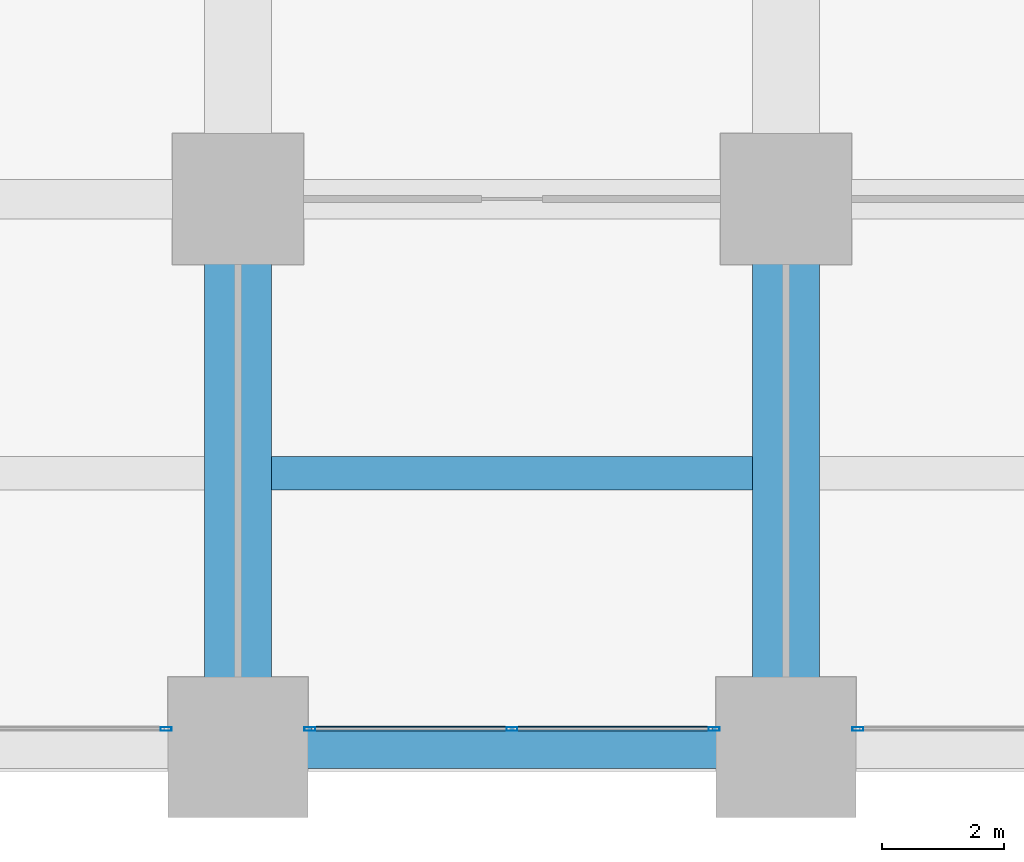
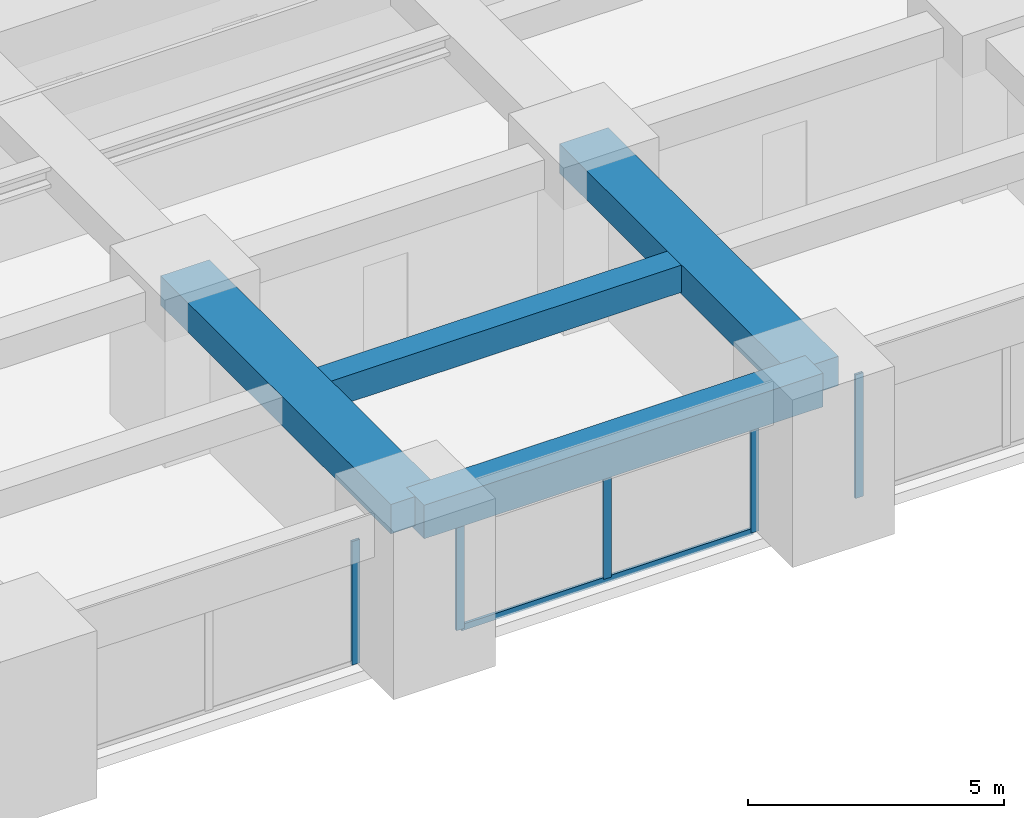
# One storey, part 13 of 44: 6 members, 4 beams, 3 elements without a shape of their own.
"""IFC4 building model written with IfcOpenShell, lengths in metres."""

from ifc_helpers import new_model, si_unit, direction, frame, origin, origin_2d, place, context, subcontext, project, spatial, rectangle, hollow_rectangle, extrude, material, material_profile, profile_set, type_object, element, aggregate, save


model = new_model("IFC4")

# Units and contexts
model_context = context("Model", 3, precision=1e-05, world=origin(), true_north=direction((0.0, 1.0)))
body_context = subcontext(model_context, "Body", "Model", "MODEL_VIEW")
ifc_project = project(units=[si_unit("LENGTHUNIT", "METRE"), si_unit("AREAUNIT", "SQUARE_METRE"), si_unit("VOLUMEUNIT", "CUBIC_METRE"), si_unit("PLANEANGLEUNIT", "RADIAN"), si_unit("MASSUNIT", "GRAM", prefix="KILO")], contexts=[model_context])

# Site, building, storey
site_placement = place(None, origin())
site = spatial("IfcSite", under=ifc_project, at=site_placement, CompositionType="ELEMENT")
building_placement = place(site_placement, origin())
building = spatial("IfcBuilding", under=site, at=building_placement, Name="Zorevar Civic Tower", CompositionType="ELEMENT")
storey_placement = place(building_placement, frame((0.0, 0.0, 55.800048828125)))
storey = spatial("IfcBuildingStorey", under=building, at=storey_placement, Name="L13", CompositionType="ELEMENT", Elevation=55.800048828125)

# Beams
ifc_material_1 = material(Name="Concrete C50/60", Category="concrete")
ifc_material_profile_1 = material_profile(ifc_material_1, rectangle(XDim=1.10009765625, YDim=0.699951171875, at=origin_2d()), Name="RC 1100x700")
ifc_profile_set_1 = profile_set([ifc_material_profile_1], Name="Concrete C50/60")
beam_type_1 = type_object("IfcBeamType", Name="Beam RC 1100x700", PredefinedType="BEAM", material=ifc_profile_set_1)
for number, where, z_axis, x_axis, name in (
    (1, (36.0, 0.0, 3.39990234375), (0.0, 1.0, 0.0), (-1.0, 0.0, 0.0), "Girder L14"),
    (2, (45.0, 0.0, 3.39990234375), (0.0, 1.0, 0.0), (-1.0, 0.0, 0.0), "Girder L14"),
):
    element("IfcBeam", number, at=place(storey_placement, frame(where, z_axis=z_axis, x_axis=x_axis)), inside=storey, type_object=beam_type_1, Name=name, PredefinedType="BEAM", context=body_context, shape_type="SweptSolid", body=[
        extrude(rectangle(XDim=1.10009765625, YDim=0.699951171875, at=origin_2d()), origin(), (0.0, 0.0, 1.0), 9.0),
    ])
ifc_material_2 = material(Name="Concrete C50/60", Category="concrete")
ifc_material_profile_2 = material_profile(ifc_material_2, rectangle(XDim=0.550048828125, YDim=0.64990234375, at=origin_2d()), Name="RC 550x650")
ifc_profile_set_2 = profile_set([ifc_material_profile_2], Name="Concrete C50/60")
beam_type_2 = type_object("IfcBeamType", Name="Beam RC 550x650", PredefinedType="BEAM", material=ifc_profile_set_2)
beam_1_placement = place(storey_placement, frame((36.550048828125, 4.5, 3.425048828125), z_axis=(1.0, 0.0, 0.0), x_axis=(0.0, 1.0, 0.0)))
element("IfcBeam", 3, at=beam_1_placement, inside=storey, type_object=beam_type_2, Name="Secondary beam L14", PredefinedType="BEAM", context=body_context, shape_type="SweptSolid", body=[
    extrude(rectangle(XDim=0.550048828125, YDim=0.64990234375, at=origin_2d()), origin(), (0.0, 0.0, 1.0), 7.89990234375),
])

# Curtain wall, member
ifc_material_3 = material(Name="Dark grey solar-control glass in black aluminium frame", Category="aluminium")
curtain_wall_type = type_object("IfcCurtainWallType", Name="Curtain wall CW2 low zone", PredefinedType="NOTDEFINED", material=ifc_material_3)
curtain_wall_1_placement = place(storey_placement, origin())
curtain_wall_1 = element("IfcCurtainWall", 4, at=curtain_wall_1_placement, inside=storey, type_object=curtain_wall_type, Name="CW2 L13", PredefinedType="NOTDEFINED")
ifc_material_4 = material(Name="Aluminium, black anodised", Category="aluminium")
ifc_material_profile_3 = material_profile(ifc_material_4, hollow_rectangle(XDim=0.06005859375, YDim=0.179931640625, WallThickness=0.00390625, at=origin_2d()), Name="AL 180x60x4")
ifc_profile_set_3 = profile_set([ifc_material_profile_3], Name="Aluminium, black anodised")
member_type_1 = type_object("IfcMemberType", Name="CW2 mullion AL 180x60x4", PredefinedType="MULLION", material=ifc_profile_set_3)
member_1_placement = place(storey_placement, frame((34.820068359375, 0.300048828125, 0.0), z_axis=(0.0, 0.0, 1.0), x_axis=(0.0, 1.0, 0.0)))
member_1 = element("IfcMember", 5, at=member_1_placement, type_object=member_type_1, Name="CW2 mullion 3", PredefinedType="MULLION", context=body_context, shape_type="SweptSolid", body=[
    extrude(hollow_rectangle(XDim=0.06005859375, YDim=0.179931640625, WallThickness=0.00390625, at=origin_2d()), origin(), (0.0, 0.0, 1.0), 2.949951171875),
])
aggregate(curtain_wall_1, [member_1])

# Curtain wall, members
curtain_wall_2_placement = place(storey_placement, origin())
curtain_wall_2 = element("IfcCurtainWall", 6, at=curtain_wall_2_placement, inside=storey, type_object=curtain_wall_type, Name="CW2 L13", PredefinedType="NOTDEFINED")
member_2_placement = place(storey_placement, frame((37.179931640625, 0.300048828125, 0.0), z_axis=(0.0, 0.0, 1.0), x_axis=(0.0, 1.0, 0.0)))
member_2 = element("IfcMember", 7, at=member_2_placement, type_object=member_type_1, Name="CW2 mullion 1", PredefinedType="MULLION", context=body_context, shape_type="SweptSolid", body=[
    extrude(hollow_rectangle(XDim=0.06005859375, YDim=0.179931640625, WallThickness=0.00390625, at=origin_2d()), origin(), (0.0, 0.0, 1.0), 2.949951171875),
])
member_3_placement = place(storey_placement, frame((40.5, 0.300048828125, 0.06005859375), z_axis=(0.0, 0.0, 1.0), x_axis=(0.0, 1.0, 0.0)))
member_3 = element("IfcMember", 8, at=member_3_placement, type_object=member_type_1, Name="CW2 mullion 2", PredefinedType="MULLION", context=body_context, shape_type="SweptSolid", body=[
    extrude(hollow_rectangle(XDim=0.06005859375, YDim=0.179931640625, WallThickness=0.00390625, at=origin_2d()), origin(), (0.0, 0.0, 1.0), 2.889892578125),
])
member_4_placement = place(storey_placement, frame((43.820068359375, 0.300048828125, 0.0), z_axis=(0.0, 0.0, 1.0), x_axis=(0.0, 1.0, 0.0)))
member_4 = element("IfcMember", 9, at=member_4_placement, type_object=member_type_1, Name="CW2 mullion 3", PredefinedType="MULLION", context=body_context, shape_type="SweptSolid", body=[
    extrude(hollow_rectangle(XDim=0.06005859375, YDim=0.179931640625, WallThickness=0.00390625, at=origin_2d()), origin(), (0.0, 0.0, 1.0), 2.949951171875),
])

# Curtain wall, member
curtain_wall_3_placement = place(storey_placement, origin())
curtain_wall_3 = element("IfcCurtainWall", 10, at=curtain_wall_3_placement, inside=storey, type_object=curtain_wall_type, Name="CW2 L13", PredefinedType="NOTDEFINED")
member_5_placement = place(storey_placement, frame((46.179931640625, 0.300048828125, 0.0), z_axis=(0.0, 0.0, 1.0), x_axis=(0.0, 1.0, 0.0)))
member_5 = element("IfcMember", 11, at=member_5_placement, type_object=member_type_1, Name="CW2 mullion 1", PredefinedType="MULLION", context=body_context, shape_type="SweptSolid", body=[
    extrude(hollow_rectangle(XDim=0.06005859375, YDim=0.179931640625, WallThickness=0.00390625, at=origin_2d()), origin(), (0.0, 0.0, 1.0), 2.949951171875),
])
aggregate(curtain_wall_3, [member_5])

# Member
ifc_material_5 = material(Name="Aluminium, black anodised", Category="aluminium")
ifc_material_profile_4 = material_profile(ifc_material_5, hollow_rectangle(XDim=0.06005859375, YDim=0.14990234375, WallThickness=0.00390625, at=origin_2d()), Name="AL 150x60x4")
ifc_profile_set_4 = profile_set([ifc_material_profile_4], Name="Aluminium, black anodised")
member_type_2 = type_object("IfcMemberType", Name="CW2 transom AL 150x60x4", PredefinedType="USERDEFINED", material=ifc_profile_set_4)
member_6_placement = place(storey_placement, frame((37.2099609375, 0.300048828125, 0.030029296875), z_axis=(1.0, 0.0, 0.0), x_axis=(0.0, 1.0, 0.0)))
member_6 = element("IfcMember", 12, at=member_6_placement, type_object=member_type_2, Name="CW2 sill transom", ObjectType="TRANSOM", PredefinedType="USERDEFINED", context=body_context, shape_type="SweptSolid", body=[
    extrude(hollow_rectangle(XDim=0.06005859375, YDim=0.14990234375, WallThickness=0.00390625, at=origin_2d()), origin(), (0.0, 0.0, 1.0), 6.580078125),
])

aggregate(curtain_wall_2, [member_2, member_3, member_4, member_6])

# Beam
ifc_material_6 = material(Name="Concrete C50/60", Category="concrete")
ifc_material_profile_5 = material_profile(ifc_material_6, rectangle(XDim=0.699951171875, YDim=0.800048828125, at=origin_2d()), Name="RC 700x800")
ifc_profile_set_5 = profile_set([ifc_material_profile_5], Name="Concrete C50/60")
beam_type_3 = type_object("IfcBeamType", Name="Edge beam RC 700x800", PredefinedType="SPANDREL", material=ifc_profile_set_5)
beam_2_placement = place(storey_placement, frame((36.0, 0.0, 3.349853515625), z_axis=(1.0, 0.0, 0.0), x_axis=(0.0, 1.0, 0.0)))
element("IfcBeam", 13, at=beam_2_placement, inside=storey, type_object=beam_type_3, Name="Edge beam L14", PredefinedType="SPANDREL", context=body_context, shape_type="SweptSolid", body=[
    extrude(rectangle(XDim=0.699951171875, YDim=0.800048828125, at=origin_2d()), origin(), (0.0, 0.0, 1.0), 9.0),
])

save(model, "model.ifc")
